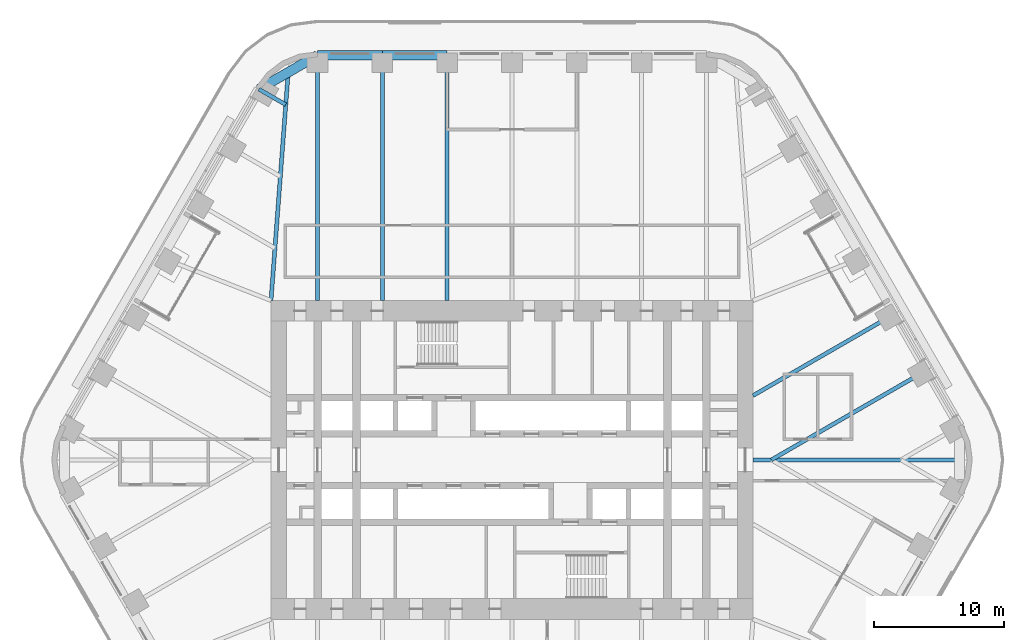
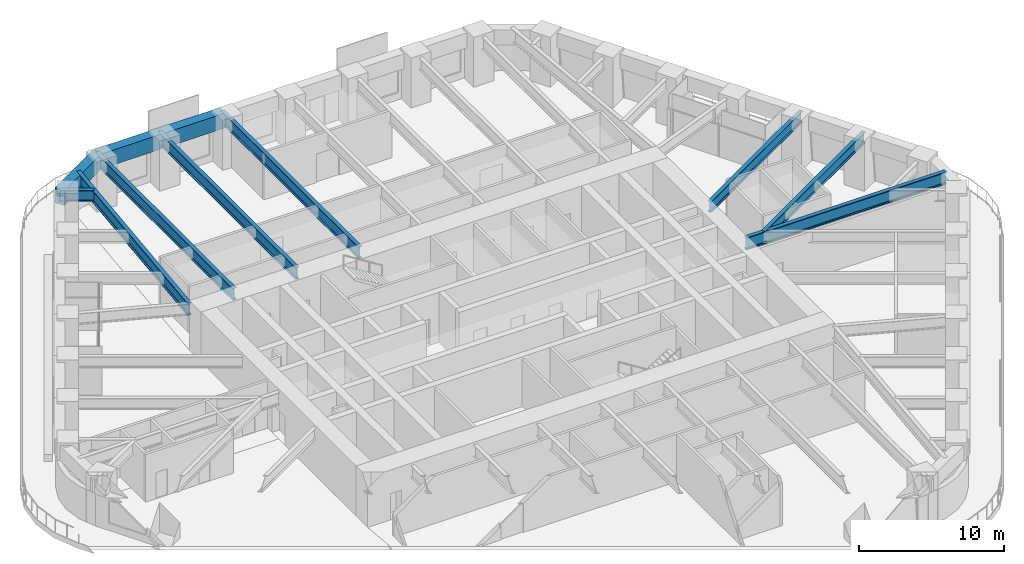
# One storey, part 10 of 24: 11 beams.
"""IFC4 building model written with IfcOpenShell, lengths in metres."""

from ifc_helpers import new_model, si_unit, direction, frame, origin, origin_2d, place, context, subcontext, project, spatial, rectangle, i_section, extrude, material, material_profile, profile_set, type_object, element, save


model = new_model("IFC4")

# Units and contexts
model_context = context("Model", 3, precision=1e-05, world=origin(), true_north=direction((0.0, 1.0)))
body_context = subcontext(model_context, "Body", "Model", "MODEL_VIEW")
ifc_project = project(units=[si_unit("LENGTHUNIT", "METRE"), si_unit("AREAUNIT", "SQUARE_METRE"), si_unit("VOLUMEUNIT", "CUBIC_METRE"), si_unit("PLANEANGLEUNIT", "RADIAN"), si_unit("MASSUNIT", "GRAM", prefix="KILO")], contexts=[model_context])

# Site, building, storey
site_placement = place(None, origin())
site = spatial("IfcSite", under=ifc_project, at=site_placement, CompositionType="ELEMENT")
building_placement = place(site_placement, origin())
building = spatial("IfcBuilding", under=site, at=building_placement, Name="Tarfa Lantern Tower", CompositionType="ELEMENT")
storey_placement = place(building_placement, frame((0.0, 0.0, 148.89990234375)))
storey = spatial("IfcBuildingStorey", under=building, at=storey_placement, Name="L33", CompositionType="ELEMENT", Elevation=148.89990234375)

# Beams
ifc_material_1 = material(Name="Concrete C80/95", Category="concrete")
ifc_material_profile_1 = material_profile(ifc_material_1, rectangle(XDim=0.75, YDim=1.25, at=origin_2d()), Name="RC 750x1250")
ifc_profile_set_1 = profile_set([ifc_material_profile_1], Name="Concrete C80/95")
beam_type_1 = type_object("IfcBeamType", Name="EB2 RC 750x1250", PredefinedType="SPANDREL", material=ifc_profile_set_1)
for number, where, z_axis, x_axis, name in (
    (1, (-5.003662109375, 31.219970703125, 3.375), (-1.0, 0.0, 0.0), (0.0, -1.0, 0.0), "Edge beam N4"),
    (2, (-10.00732421875, 31.219970703125, 3.375), (-1.0, 0.0, 0.0), (0.0, -1.0, 0.0), "Edge beam N5"),
):
    element("IfcBeam", number, at=place(storey_placement, frame(where, z_axis=z_axis, x_axis=x_axis)), inside=storey, type_object=beam_type_1, Name=name, PredefinedType="SPANDREL", context=body_context, shape_type="SweptSolid", body=[
        extrude(rectangle(XDim=0.75, YDim=1.25, at=origin_2d()), origin(), (0.0, 0.0, 1.0), 5.003662109375),
    ])
beam_1_placement = place(storey_placement, frame((-15.010986328125, 31.219970703125, 3.375), z_axis=(-0.86604150238, -0.499972115377, 0.0), x_axis=(0.499972115377, -0.86604150238, 0.0)))
element("IfcBeam", 3, at=beam_1_placement, inside=storey, type_object=beam_type_1, Name="Edge beam N6", PredefinedType="SPANDREL", context=body_context, shape_type="SweptSolid", body=[
    extrude(rectangle(XDim=0.75, YDim=1.25, at=origin_2d()), origin(), (0.0, 0.0, 1.0), 5.219970703125),
])
ifc_material_2 = material(Name="Steel S460M", Category="steel")
ifc_material_profile_2 = material_profile(ifc_material_2, i_section(OverallWidth=0.302001953125, OverallDepth=1.008056640625, WebThickness=0.02099609375, FlangeThickness=0.0400390625, FilletRadius=0.030029296875, at=origin_2d()), Name="UB1016x305x349")
ifc_profile_set_2 = profile_set([ifc_material_profile_2], Name="Steel S460M")
beam_type_2 = type_object("IfcBeamType", Name="UB1016x305x349", PredefinedType="BEAM", material=ifc_profile_set_2)
for number, where, z_axis, x_axis, name in (
    (4, (-5.003662109375, 31.219970703125, 3.49609375), (0.0, -1.0, 0.0), (1.0, 0.0, 0.0), "Floor beam N4"),
    (5, (-10.00732421875, 31.219970703125, 3.49609375), (0.0, -1.0, 0.0), (1.0, 0.0, 0.0), "Floor beam N5"),
    (6, (-15.010986328125, 31.219970703125, 3.49609375), (0.0, -1.0, 0.0), (1.0, 0.0, 0.0), "Floor beam N6"),
):
    element("IfcBeam", number, at=place(storey_placement, frame(where, z_axis=z_axis, x_axis=x_axis)), inside=storey, type_object=beam_type_2, Name=name, PredefinedType="BEAM", context=body_context, shape_type="SweptSolid", body=[
        extrude(i_section(OverallWidth=0.302001953125, OverallDepth=1.008056640625, WebThickness=0.02099609375, FlangeThickness=0.0400390625, FilletRadius=0.030029296875, at=origin_2d()), origin(), (0.0, 0.0, 1.0), 18.919921875),
    ])
ifc_material_profile_3 = material_profile(ifc_material_2, i_section(OverallWidth=0.30859375, OverallDepth=1.036376953125, WebThickness=0.030029296875, FlangeThickness=0.05419921875, FilletRadius=0.030029296875, at=origin_2d()), Name="UB1016x305x487")
ifc_profile_set_3 = profile_set([ifc_material_profile_3], Name="Steel S460M")
beam_type_3 = type_object("IfcBeamType", Name="UB1016x305x487", PredefinedType="BEAM", material=ifc_profile_set_3)
beam_2_placement = place(storey_placement, frame((18.60009765625, 0.0, 3.48193359375), z_axis=(1.0, 0.0, 0.0), x_axis=(0.0, 1.0, 0.0)))
element("IfcBeam", 7, at=beam_2_placement, inside=storey, type_object=beam_type_3, Name="Hip girder E", PredefinedType="BEAM", context=body_context, shape_type="SweptSolid", body=[
    extrude(i_section(OverallWidth=0.30859375, OverallDepth=1.036376953125, WebThickness=0.030029296875, FlangeThickness=0.05419921875, FilletRadius=0.030029296875, at=origin_2d()), origin(), (0.0, 0.0, 1.0), 15.94287109375),
])
beam_3_placement = place(storey_placement, frame((-18.60009765625, 12.300048828125, 3.48193359375), z_axis=(0.075211516041, 0.99716760269, 0.0), x_axis=(-0.99716760269, 0.075211516041, 0.0)))
element("IfcBeam", 8, at=beam_3_placement, inside=storey, type_object=beam_type_3, Name="Hip girder NW", PredefinedType="BEAM", context=body_context, shape_type="SweptSolid", body=[
    extrude(i_section(OverallWidth=0.30859375, OverallDepth=1.036376953125, WebThickness=0.030029296875, FlangeThickness=0.05419921875, FilletRadius=0.030029296875, at=origin_2d()), origin(), (0.0, 0.0, 1.0), 17.6650390625),
])
ifc_material_profile_4 = material_profile(ifc_material_2, i_section(OverallWidth=0.305419921875, OverallDepth=0.91845703125, WebThickness=0.017333984375, FlangeThickness=0.02783203125, FilletRadius=0.01904296875, at=origin_2d()), Name="UB914x305x253")
ifc_profile_set_4 = profile_set([ifc_material_profile_4], Name="Steel S460M")
beam_type_4 = type_object("IfcBeamType", Name="UB914x305x253", PredefinedType="BEAM", material=ifc_profile_set_4)
beam_4_placement = place(storey_placement, frame((32.041015625, 6.943359375, 3.541015625), z_axis=(-0.866023096411, -0.500003996466, 0.0), x_axis=(0.500003996466, -0.866023096411, 0.0)))
element("IfcBeam", 9, at=beam_4_placement, inside=storey, type_object=beam_type_4, Name="Floor beam NE1", PredefinedType="BEAM", context=body_context, shape_type="SweptSolid", body=[
    extrude(i_section(OverallWidth=0.305419921875, OverallDepth=0.91845703125, WebThickness=0.017333984375, FlangeThickness=0.02783203125, FilletRadius=0.01904296875, at=origin_2d()), origin(), (0.0, 0.0, 1.0), 13.88671875),
])
beam_5_placement = place(storey_placement, frame((29.5390625, 11.276611328125, 3.541015625), z_axis=(-0.866023362995, -0.500003534735, 0.0), x_axis=(0.500003534735, -0.866023362995, 0.0)))
element("IfcBeam", 10, at=beam_5_placement, inside=storey, type_object=beam_type_4, Name="Floor beam NE2", PredefinedType="BEAM", context=body_context, shape_type="SweptSolid", body=[
    extrude(i_section(OverallWidth=0.305419921875, OverallDepth=0.91845703125, WebThickness=0.017333984375, FlangeThickness=0.02783203125, FilletRadius=0.01904296875, at=origin_2d()), origin(), (0.0, 0.0, 1.0), 12.63134765625),
])
beam_6_placement = place(storey_placement, frame((-19.53173828125, 28.610107421875, 3.541015625), z_axis=(0.865998640954, -0.500046351717, 0.0), x_axis=(0.500046351717, 0.865998640954, 0.0)))
element("IfcBeam", 11, at=beam_6_placement, inside=storey, type_object=beam_type_4, Name="Floor beam NW0", PredefinedType="BEAM", context=body_context, shape_type="SweptSolid", body=[
    extrude(i_section(OverallWidth=0.305419921875, OverallDepth=0.91845703125, WebThickness=0.017333984375, FlangeThickness=0.02783203125, FilletRadius=0.01904296875, at=origin_2d()), origin(), (0.0, 0.0, 1.0), 2.392333984375),
])

save(model, "model.ifc")
